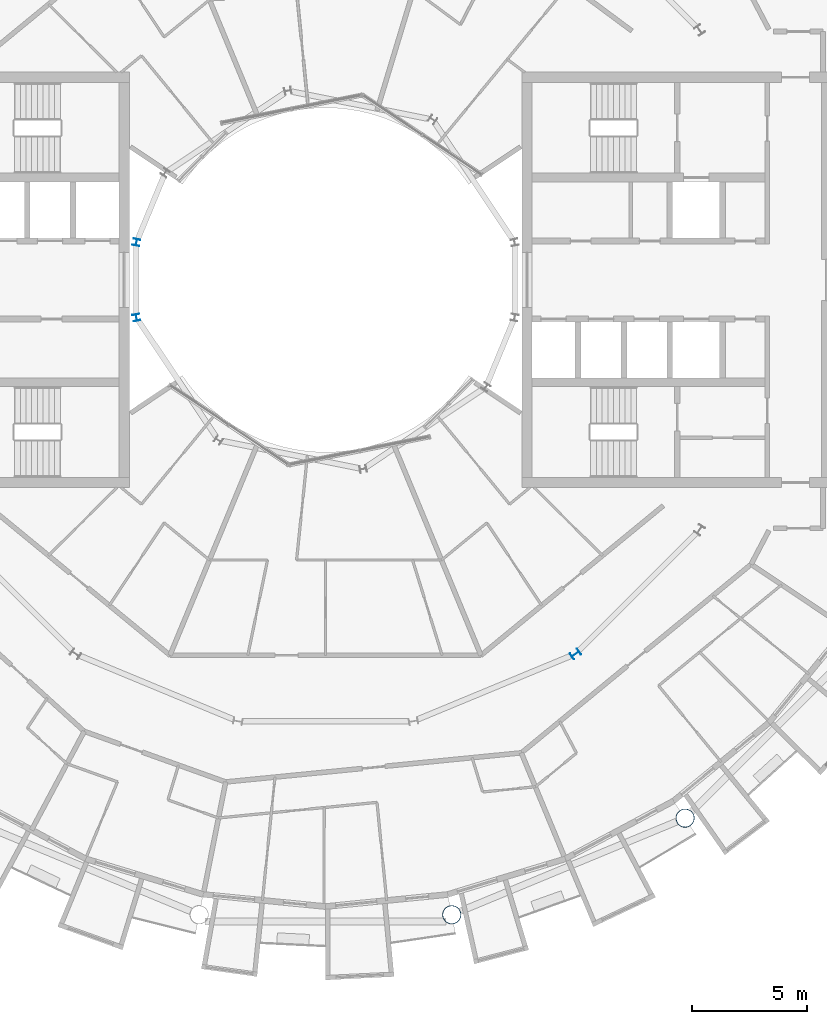
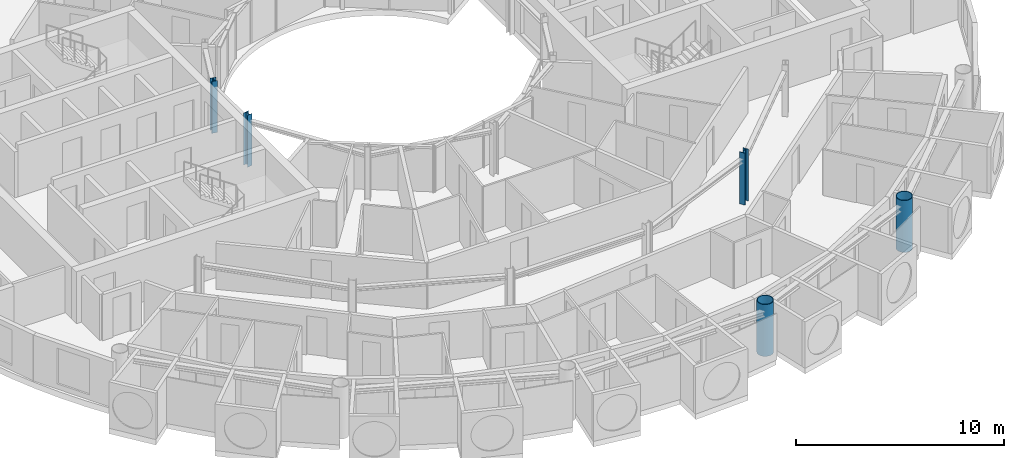
# One storey, part 2 of 29: 5 columns.
"""IFC4 building model written with IfcOpenShell, lengths in metres."""

from ifc_helpers import new_model, si_unit, direction, frame, origin, origin_2d, place, context, subcontext, project, spatial, hollow_circle, i_section, extrude, material, material_profile, profile_set, type_object, element, save


model = new_model("IFC4")

# Units and contexts
model_context = context("Model", 3, precision=1e-05, world=origin(), true_north=direction((0.0, 1.0)))
body_context = subcontext(model_context, "Body", "Model", "MODEL_VIEW")
ifc_project = project(units=[si_unit("LENGTHUNIT", "METRE"), si_unit("AREAUNIT", "SQUARE_METRE"), si_unit("VOLUMEUNIT", "CUBIC_METRE"), si_unit("PLANEANGLEUNIT", "RADIAN"), si_unit("MASSUNIT", "GRAM", prefix="KILO")], contexts=[model_context])

# Site, building, storey
site_placement = place(None, origin())
site = spatial("IfcSite", under=ifc_project, at=site_placement, CompositionType="ELEMENT")
building_placement = place(site_placement, origin())
building = spatial("IfcBuilding", under=site, at=building_placement, Name="Maasbend Ring Residences", CompositionType="ELEMENT")
storey_placement = place(building_placement, frame((0.0, 0.0, 202.39990234375)))
storey = spatial("IfcBuildingStorey", under=building, at=storey_placement, Name="L58", CompositionType="ELEMENT", Elevation=202.39990234375)

# Columns
ifc_material_1 = material(Name="Composite concrete-filled steel tube S460NH / C80/95", Category="concrete")
ifc_material_profile_1 = material_profile(ifc_material_1, hollow_circle(Radius=0.406494140625, WallThickness=0.030029296875, at=origin_2d()), Name="Composite tube column CHS 813x30")
ifc_profile_set_1 = profile_set([ifc_material_profile_1], Name="Composite concrete-filled steel tube S460NH / C80/95")
column_type_1 = type_object("IfcColumnType", Name="Composite tube column CHS 813x30", PredefinedType="COLUMN", material=ifc_profile_set_1)
for number, where, z_axis, x_axis, name in (
    (1, (5.50146484375, -27.658203125, 0.0), (0.0, 0.0, 1.0), (1.0, 0.0, 0.0), "Outer column R13"),
    (2, (15.6669921875, -23.447509765625, 0.0), (0.0, 0.0, 1.0), (1.0, 0.0, 0.0), "Outer column R14"),
):
    element("IfcColumn", number, at=place(storey_placement, frame(where, z_axis=z_axis, x_axis=x_axis)), inside=storey, type_object=column_type_1, Name=name, PredefinedType="COLUMN", context=body_context, shape_type="SweptSolid", body=[
        extrude(hollow_circle(Radius=0.406494140625, WallThickness=0.030029296875, at=origin_2d()), origin(), (0.0, 0.0, 1.0), 3.050048828125),
    ])
ifc_material_2 = material(Name="Steel S355J2", Category="steel")
ifc_material_profile_2 = material_profile(ifc_material_2, i_section(OverallWidth=0.300048828125, OverallDepth=0.2900390625, WebThickness=0.008544921875, FlangeThickness=0.013916015625, FilletRadius=0.027099609375, at=origin_2d()), Name="HEA 300")
ifc_profile_set_2 = profile_set([ifc_material_profile_2], Name="Steel S355J2")
column_type_2 = type_object("IfcColumnType", Name="Steel column HEA 300", PredefinedType="COLUMN", material=ifc_profile_set_2)
for number, where, z_axis, x_axis, name in (
    (3, (-8.238525390625, 1.638916015625, 0.0), (0.0, 0.0, 1.0), (-0.980785280403, 0.195090322016, 0.0), "Well ring column R8"),
    (4, (-8.238525390625, -1.638916015625, 0.0), (0.0, 0.0, 1.0), (-0.980785280403, -0.195090322016, 0.0), "Well ring column R9"),
):
    element("IfcColumn", number, at=place(storey_placement, frame(where, z_axis=z_axis, x_axis=x_axis)), inside=storey, type_object=column_type_2, Name=name, PredefinedType="COLUMN", context=body_context, shape_type="SweptSolid", body=[
        extrude(i_section(OverallWidth=0.300048828125, OverallDepth=0.2900390625, WebThickness=0.008544921875, FlangeThickness=0.013916015625, FilletRadius=0.027099609375, at=origin_2d()), origin(), (0.0, 0.0, 1.0), 3.050048828125),
    ])
ifc_material_3 = material(Name="Steel S355J2", Category="steel")
ifc_material_profile_3 = material_profile(ifc_material_3, i_section(OverallWidth=0.300048828125, OverallDepth=0.39990234375, WebThickness=0.013427734375, FlangeThickness=0.02392578125, FilletRadius=0.027099609375, at=origin_2d()), Name="HEB 400")
ifc_profile_set_3 = profile_set([ifc_material_profile_3], Name="Steel S355J2")
column_type_3 = type_object("IfcColumnType", Name="Steel column HEB 400", PredefinedType="COLUMN", material=ifc_profile_set_3)
column_placement = place(storey_placement, frame((10.88916015625, -16.296875, 0.0), z_axis=(0.0, 0.0, 1.0), x_axis=(0.55557023302, -0.831469612303, 0.0)))
element("IfcColumn", 5, at=column_placement, inside=storey, type_object=column_type_3, Name="Corridor ring column R14", PredefinedType="COLUMN", context=body_context, shape_type="SweptSolid", body=[
    extrude(i_section(OverallWidth=0.300048828125, OverallDepth=0.39990234375, WebThickness=0.013427734375, FlangeThickness=0.02392578125, FilletRadius=0.027099609375, at=origin_2d()), origin(), (0.0, 0.0, 1.0), 3.050048828125),
])

save(model, "model.ifc")
